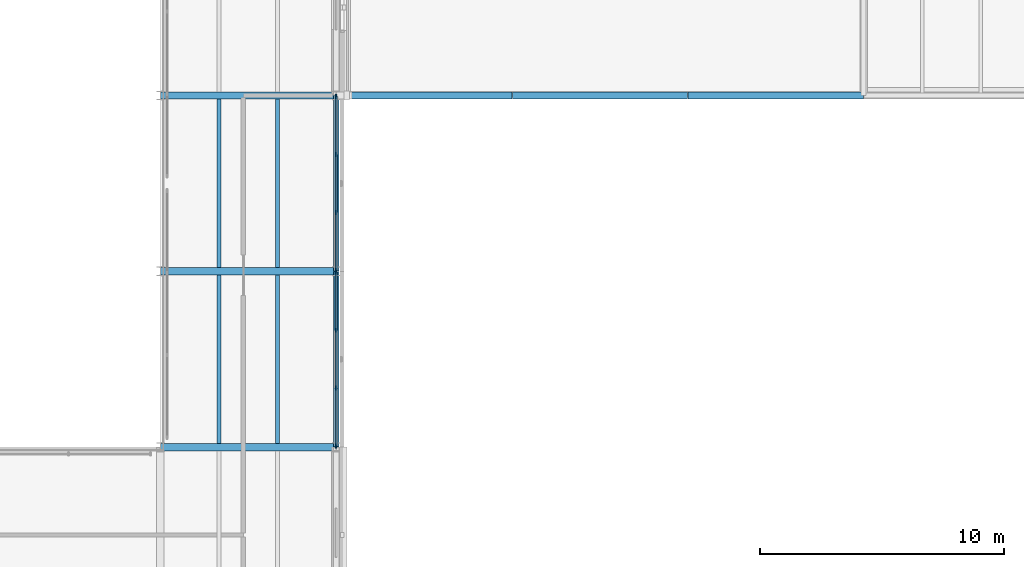
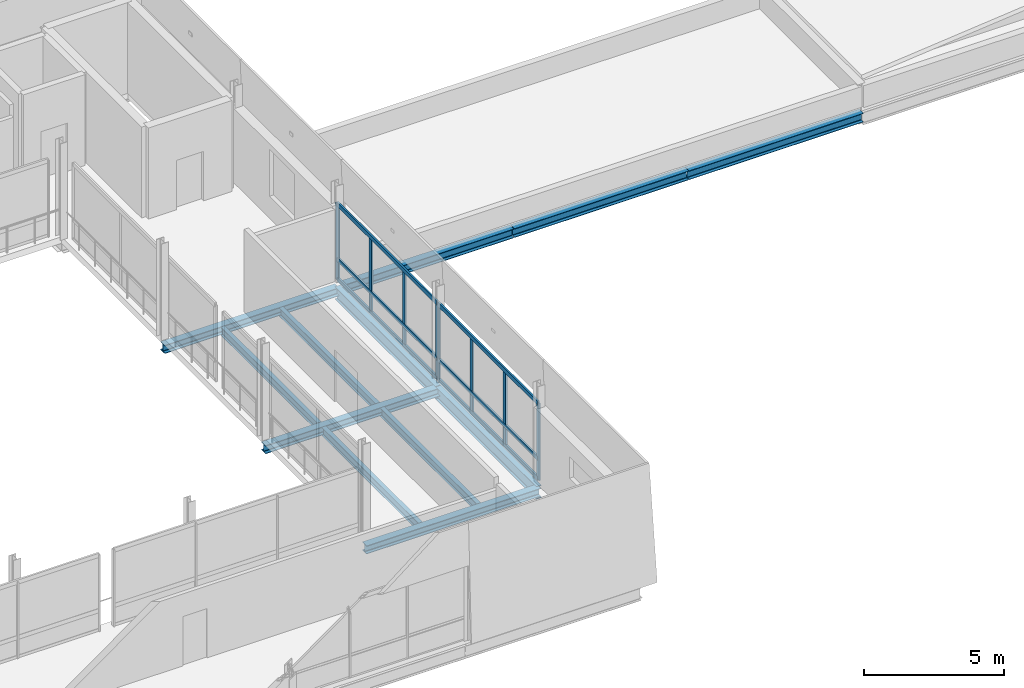
# One storey, part 26 of 91: 14 members, 12 beams, 2 elements without a shape of their own.
"""IFC4 building model written with IfcOpenShell, lengths in metres."""

from ifc_helpers import new_model, si_unit, direction, frame, origin, origin_2d, place, context, subcontext, project, spatial, rectangle, i_section, extrude, material, layer, layer_set, material_profile, profile_set, type_object, element, aggregate, save


model = new_model("IFC4")

# Units and contexts
model_context = context("Model", 3, precision=1e-05, world=origin(), true_north=direction((0.0, 1.0)))
body_context = subcontext(model_context, "Body", "Model", "MODEL_VIEW")
ifc_project = project(units=[si_unit("LENGTHUNIT", "METRE"), si_unit("AREAUNIT", "SQUARE_METRE"), si_unit("VOLUMEUNIT", "CUBIC_METRE"), si_unit("PLANEANGLEUNIT", "RADIAN"), si_unit("MASSUNIT", "GRAM", prefix="KILO")], contexts=[model_context])

# Site, building, storey
site_placement = place(None, origin())
site = spatial("IfcSite", under=ifc_project, at=site_placement, CompositionType="ELEMENT")
building_placement = place(site_placement, origin())
building = spatial("IfcBuilding", under=site, at=building_placement, Name="Narikvali Park Central Library", CompositionType="ELEMENT")
storey_placement = place(building_placement, frame((0.0, 0.0, 14.39990234375)))
storey = spatial("IfcBuildingStorey", under=building, at=storey_placement, Name="L03", CompositionType="ELEMENT", Elevation=14.39990234375)

# Beams
ifc_material_1 = material(Name="Steel S355", Category="steel")
ifc_material_profile_1 = material_profile(ifc_material_1, i_section(OverallWidth=0.300048828125, OverallDepth=0.389892578125, WebThickness=0.010986328125, FlangeThickness=0.01904296875, FilletRadius=0.027099609375, at=origin_2d()), Name="HEA 400")
ifc_profile_set_1 = profile_set([ifc_material_profile_1], Name="Steel S355")
beam_type_1 = type_object("IfcBeamType", Name="Colonnade Bridge Girder HEA400", PredefinedType="BEAM", material=ifc_profile_set_1)
beam_placement = place(storey_placement, frame((101.02001953125, 79.199951171875, -0.434814453125), z_axis=(1.0, 0.0, 0.0), x_axis=(0.0, 1.0, 0.0)))
element("IfcBeam", 1, at=beam_placement, inside=storey, type_object=beam_type_1, Name="BRG-3 L03 Sliding Bridge Girder 1-1", PredefinedType="BEAM", context=body_context, shape_type="SweptSolid", body=[
    extrude(i_section(OverallWidth=0.300048828125, OverallDepth=0.389892578125, WebThickness=0.010986328125, FlangeThickness=0.01904296875, FilletRadius=0.027099609375, at=origin_2d()), origin(), (0.0, 0.0, 1.0), 6.969970703125),
])
for number, where, z_axis, x_axis, name in (
    (2, (108.010009765625, 79.199951171875, -0.434814453125), (1.0, 0.0, 0.0), (0.0, 1.0, 0.0), "BRG-3 L03 Sliding Bridge Girder 1-2"),
    (3, (115.2099609375, 79.199951171875, -0.434814453125), (1.0, 0.0, 0.0), (0.0, 1.0, 0.0), "BRG-3 L03 Sliding Bridge Girder 1-3"),
):
    element("IfcBeam", number, at=place(storey_placement, frame(where, z_axis=z_axis, x_axis=x_axis)), inside=storey, type_object=beam_type_1, Name=name, PredefinedType="BEAM", context=body_context, shape_type="SweptSolid", body=[
        extrude(i_section(OverallWidth=0.300048828125, OverallDepth=0.389892578125, WebThickness=0.010986328125, FlangeThickness=0.01904296875, FilletRadius=0.027099609375, at=origin_2d()), origin(), (0.0, 0.0, 1.0), 7.179931640625),
    ])

# Curtain wall, members
ifc_material_2 = material(Name="Anodised Bronze Aluminium", Category="aluminium")
ifc_layer = layer(ifc_material_2, 0.219970703125, Name="Anodised Bronze Aluminium")
ifc_layer_set = layer_set([ifc_layer], Name="Anodised Bronze Aluminium")
curtain_wall_type = type_object("IfcCurtainWallType", Name="Rotunda Drum Clerestory Curtain Wall", PredefinedType="NOTDEFINED", material=ifc_layer_set)
curtain_wall_1_placement = place(storey_placement, origin())
curtain_wall_1 = element("IfcCurtainWall", 4, at=curtain_wall_1_placement, inside=storey, type_object=curtain_wall_type, Name="Rotunda Drum Clerestory Curtain Wall CW-V1-L03-E-02", PredefinedType="NOTDEFINED")
ifc_material_profile_2 = material_profile(ifc_material_2, rectangle(XDim=0.074951171875, YDim=0.179931640625, at=origin_2d()), Name="CW TRANSOM 75x180")
ifc_profile_set_2 = profile_set([ifc_material_profile_2], Name="Anodised Bronze Aluminium")
member_type_1 = type_object("IfcMemberType", Name="Curtain Wall Heavy Transom 75x180", PredefinedType="USERDEFINED", material=ifc_profile_set_2)
member_1_placement = place(storey_placement, frame((100.800048828125, 64.837890625, 0.030029296875), z_axis=(0.0, 1.0, 0.0), x_axis=(-1.0, 0.0, 0.0)))
member_1 = element("IfcMember", 5, at=member_1_placement, type_object=member_type_1, Name="CW-V1-L03-E-02 Transom 00", ObjectType="TRANSOM", PredefinedType="USERDEFINED", context=body_context, shape_type="SweptSolid", body=[
    extrude(rectangle(XDim=0.074951171875, YDim=0.179931640625, at=origin_2d()), origin(), (0.0, 0.0, 1.0), 7.1240234375),
])
member_2_placement = place(storey_placement, frame((100.800048828125, 64.837890625, 0.900146484375), z_axis=(0.0, 1.0, 0.0), x_axis=(-1.0, 0.0, 0.0)))
member_2 = element("IfcMember", 6, at=member_2_placement, type_object=member_type_1, Name="CW-V1-L03-E-02 Transom 01", ObjectType="TRANSOM", PredefinedType="USERDEFINED", context=body_context, shape_type="SweptSolid", body=[
    extrude(rectangle(XDim=0.074951171875, YDim=0.179931640625, at=origin_2d()), origin(), (0.0, 0.0, 1.0), 7.1240234375),
])
member_3_placement = place(storey_placement, frame((100.800048828125, 64.837890625, 3.31005859375), z_axis=(0.0, 1.0, 0.0), x_axis=(-1.0, 0.0, 0.0)))
member_3 = element("IfcMember", 7, at=member_3_placement, type_object=member_type_1, Name="CW-V1-L03-E-02 Transom 02", ObjectType="TRANSOM", PredefinedType="USERDEFINED", context=body_context, shape_type="SweptSolid", body=[
    extrude(rectangle(XDim=0.074951171875, YDim=0.179931640625, at=origin_2d()), origin(), (0.0, 0.0, 1.0), 7.1240234375),
])

curtain_wall_2_placement = place(storey_placement, origin())
curtain_wall_2 = element("IfcCurtainWall", 8, at=curtain_wall_2_placement, inside=storey, type_object=curtain_wall_type, Name="Rotunda Drum Clerestory Curtain Wall CW-V1-L03-E-03", PredefinedType="NOTDEFINED")
member_4_placement = place(storey_placement, frame((100.800048828125, 72.0380859375, 0.030029296875), z_axis=(0.0, 1.0, 0.0), x_axis=(-1.0, 0.0, 0.0)))
member_4 = element("IfcMember", 9, at=member_4_placement, type_object=member_type_1, Name="CW-V1-L03-E-03 Transom 00", ObjectType="TRANSOM", PredefinedType="USERDEFINED", context=body_context, shape_type="SweptSolid", body=[
    extrude(rectangle(XDim=0.074951171875, YDim=0.179931640625, at=origin_2d()), origin(), (0.0, 0.0, 1.0), 7.1240234375),
])
member_5_placement = place(storey_placement, frame((100.800048828125, 72.0380859375, 0.900146484375), z_axis=(0.0, 1.0, 0.0), x_axis=(-1.0, 0.0, 0.0)))
member_5 = element("IfcMember", 10, at=member_5_placement, type_object=member_type_1, Name="CW-V1-L03-E-03 Transom 01", ObjectType="TRANSOM", PredefinedType="USERDEFINED", context=body_context, shape_type="SweptSolid", body=[
    extrude(rectangle(XDim=0.074951171875, YDim=0.179931640625, at=origin_2d()), origin(), (0.0, 0.0, 1.0), 7.1240234375),
])
member_6_placement = place(storey_placement, frame((100.800048828125, 72.0380859375, 3.31005859375), z_axis=(0.0, 1.0, 0.0), x_axis=(-1.0, 0.0, 0.0)))
member_6 = element("IfcMember", 11, at=member_6_placement, type_object=member_type_1, Name="CW-V1-L03-E-03 Transom 02", ObjectType="TRANSOM", PredefinedType="USERDEFINED", context=body_context, shape_type="SweptSolid", body=[
    extrude(rectangle(XDim=0.074951171875, YDim=0.179931640625, at=origin_2d()), origin(), (0.0, 0.0, 1.0), 7.1240234375),
])

# Member
ifc_material_profile_3 = material_profile(ifc_material_2, rectangle(XDim=0.06494140625, YDim=0.179931640625, at=origin_2d()), Name="CW MULLION 65x180")
ifc_profile_set_3 = profile_set([ifc_material_profile_3], Name="Anodised Bronze Aluminium")
member_type_2 = type_object("IfcMemberType", Name="Curtain Wall Mullion 65x180", PredefinedType="MULLION", material=ifc_profile_set_3)
member_7_placement = place(storey_placement, frame((100.800048828125, 64.837890625, -0.010009765625), z_axis=(0.0, 0.0, 1.0), x_axis=(1.0, 0.0, 0.0)))
member_7 = element("IfcMember", 12, at=member_7_placement, type_object=member_type_2, Name="CW-V1-L03-E-02 Mullion 00", PredefinedType="MULLION", context=body_context, shape_type="SweptSolid", body=[
    extrude(rectangle(XDim=0.06494140625, YDim=0.179931640625, at=origin_2d()), origin(), (0.0, 0.0, 1.0), 3.35009765625),
])

member_8_placement = place(storey_placement, frame((100.800048828125, 67.212646484375, -0.010009765625), z_axis=(0.0, 0.0, 1.0), x_axis=(1.0, 0.0, 0.0)))
member_8 = element("IfcMember", 13, at=member_8_placement, type_object=member_type_2, Name="CW-V1-L03-E-02 Mullion 01", PredefinedType="MULLION", context=body_context, shape_type="SweptSolid", body=[
    extrude(rectangle(XDim=0.06494140625, YDim=0.179931640625, at=origin_2d()), origin(), (0.0, 0.0, 1.0), 3.35009765625),
])

member_9_placement = place(storey_placement, frame((100.800048828125, 69.58740234375, -0.010009765625), z_axis=(0.0, 0.0, 1.0), x_axis=(1.0, 0.0, 0.0)))
member_9 = element("IfcMember", 14, at=member_9_placement, type_object=member_type_2, Name="CW-V1-L03-E-02 Mullion 02", PredefinedType="MULLION", context=body_context, shape_type="SweptSolid", body=[
    extrude(rectangle(XDim=0.06494140625, YDim=0.179931640625, at=origin_2d()), origin(), (0.0, 0.0, 1.0), 3.35009765625),
])

member_10_placement = place(storey_placement, frame((100.800048828125, 71.9619140625, -0.010009765625), z_axis=(0.0, 0.0, 1.0), x_axis=(1.0, 0.0, 0.0)))
member_10 = element("IfcMember", 15, at=member_10_placement, type_object=member_type_2, Name="CW-V1-L03-E-02 Mullion 03", PredefinedType="MULLION", context=body_context, shape_type="SweptSolid", body=[
    extrude(rectangle(XDim=0.06494140625, YDim=0.179931640625, at=origin_2d()), origin(), (0.0, 0.0, 1.0), 3.35009765625),
])

aggregate(curtain_wall_1, [member_7, member_8, member_9, member_10, member_1, member_2, member_3])

member_11_placement = place(storey_placement, frame((100.800048828125, 72.0380859375, -0.010009765625), z_axis=(0.0, 0.0, 1.0), x_axis=(1.0, 0.0, 0.0)))
member_11 = element("IfcMember", 16, at=member_11_placement, type_object=member_type_2, Name="CW-V1-L03-E-03 Mullion 00", PredefinedType="MULLION", context=body_context, shape_type="SweptSolid", body=[
    extrude(rectangle(XDim=0.06494140625, YDim=0.179931640625, at=origin_2d()), origin(), (0.0, 0.0, 1.0), 3.35009765625),
])

member_12_placement = place(storey_placement, frame((100.800048828125, 74.41259765625, -0.010009765625), z_axis=(0.0, 0.0, 1.0), x_axis=(1.0, 0.0, 0.0)))
member_12 = element("IfcMember", 17, at=member_12_placement, type_object=member_type_2, Name="CW-V1-L03-E-03 Mullion 01", PredefinedType="MULLION", context=body_context, shape_type="SweptSolid", body=[
    extrude(rectangle(XDim=0.06494140625, YDim=0.179931640625, at=origin_2d()), origin(), (0.0, 0.0, 1.0), 3.35009765625),
])

member_13_placement = place(storey_placement, frame((100.800048828125, 76.787353515625, -0.010009765625), z_axis=(0.0, 0.0, 1.0), x_axis=(1.0, 0.0, 0.0)))
member_13 = element("IfcMember", 18, at=member_13_placement, type_object=member_type_2, Name="CW-V1-L03-E-03 Mullion 02", PredefinedType="MULLION", context=body_context, shape_type="SweptSolid", body=[
    extrude(rectangle(XDim=0.06494140625, YDim=0.179931640625, at=origin_2d()), origin(), (0.0, 0.0, 1.0), 3.35009765625),
])

member_14_placement = place(storey_placement, frame((100.800048828125, 79.162109375, -0.010009765625), z_axis=(0.0, 0.0, 1.0), x_axis=(1.0, 0.0, 0.0)))
member_14 = element("IfcMember", 19, at=member_14_placement, type_object=member_type_2, Name="CW-V1-L03-E-03 Mullion 03", PredefinedType="MULLION", context=body_context, shape_type="SweptSolid", body=[
    extrude(rectangle(XDim=0.06494140625, YDim=0.179931640625, at=origin_2d()), origin(), (0.0, 0.0, 1.0), 3.35009765625),
])

aggregate(curtain_wall_2, [member_11, member_12, member_13, member_14, member_4, member_5, member_6])

# Beams
ifc_material_profile_4 = material_profile(ifc_material_1, i_section(OverallWidth=0.2099609375, OverallDepth=0.550048828125, WebThickness=0.010986328125, FlangeThickness=0.01708984375, FilletRadius=0.02392578125, at=origin_2d()), Name="IPE 550")
ifc_profile_set_4 = profile_set([ifc_material_profile_4], Name="Steel S355")
beam_type_2 = type_object("IfcBeamType", Name="Perimeter Spandrel IPE550", PredefinedType="SPANDREL", material=ifc_profile_set_4)
for number, where, z_axis, x_axis, name in (
    (20, (100.800048828125, 64.80810546875, -0.554931640625), (0.0, 1.0, 0.0), (-1.0, 0.0, 0.0), "V1 L03 Girder Y"),
    (21, (100.800048828125, 72.008056640625, -0.554931640625), (0.0, 1.0, 0.0), (-1.0, 0.0, 0.0), "V1 L03 Girder Y"),
):
    element("IfcBeam", number, at=place(storey_placement, frame(where, z_axis=z_axis, x_axis=x_axis)), inside=storey, type_object=beam_type_2, Name=name, PredefinedType="SPANDREL", context=body_context, shape_type="SweptSolid", body=[
        extrude(i_section(OverallWidth=0.2099609375, OverallDepth=0.550048828125, WebThickness=0.010986328125, FlangeThickness=0.01708984375, FilletRadius=0.02392578125, at=origin_2d()), origin(), (0.0, 0.0, 1.0), 7.183837890625),
    ])
ifc_material_profile_5 = material_profile(ifc_material_1, i_section(OverallWidth=0.300048828125, OverallDepth=0.360107421875, WebThickness=0.012451171875, FlangeThickness=0.0224609375, FilletRadius=0.027099609375, at=origin_2d()), Name="HEB 360")
ifc_profile_set_5 = profile_set([ifc_material_profile_5], Name="Steel S355")
beam_type_3 = type_object("IfcBeamType", Name="Upper Gallery Girder HEB360", PredefinedType="BEAM", material=ifc_profile_set_5)
for number, where, z_axis, x_axis, name in (
    (22, (93.60791015625, 64.800048828125, -0.4599609375), (1.0, 0.0, 0.0), (0.0, 1.0, 0.0), "V1 L03 Girder X"),
    (23, (93.60791015625, 72.0, -0.4599609375), (1.0, 0.0, 0.0), (0.0, 1.0, 0.0), "V1 L03 Girder X"),
    (24, (93.60791015625, 79.199951171875, -0.4599609375), (1.0, 0.0, 0.0), (0.0, 1.0, 0.0), "V1 L03 Girder X"),
):
    element("IfcBeam", number, at=place(storey_placement, frame(where, z_axis=z_axis, x_axis=x_axis)), inside=storey, type_object=beam_type_3, Name=name, PredefinedType="BEAM", context=body_context, shape_type="SweptSolid", body=[
        extrude(i_section(OverallWidth=0.300048828125, OverallDepth=0.360107421875, WebThickness=0.012451171875, FlangeThickness=0.0224609375, FilletRadius=0.027099609375, at=origin_2d()), origin(), (0.0, 0.0, 1.0), 7.18408203125),
    ])
ifc_material_profile_6 = material_profile(ifc_material_1, i_section(OverallWidth=0.172119140625, OverallDepth=0.364013671875, WebThickness=0.00927734375, FlangeThickness=0.0146484375, FilletRadius=0.01806640625, at=origin_2d()), Name="IPEO 360")
ifc_profile_set_6 = profile_set([ifc_material_profile_6], Name="Steel S355")
beam_type_4 = type_object("IfcBeamType", Name="Upper Study Joist IPEO360", PredefinedType="JOIST", material=ifc_profile_set_6)
for number, where, z_axis, x_axis, name in (
    (25, (96.0, 64.949951171875, -0.4619140625), (0.0, 1.0, 0.0), (-1.0, 0.0, 0.0), "V1 L03 Composite Joist 1"),
    (26, (98.39990234375, 64.949951171875, -0.4619140625), (0.0, 1.0, 0.0), (-1.0, 0.0, 0.0), "V1 L03 Composite Joist 2"),
    (27, (96.0, 72.14990234375, -0.4619140625), (0.0, 1.0, 0.0), (-1.0, 0.0, 0.0), "V1 L03 Composite Joist 1"),
    (28, (98.39990234375, 72.14990234375, -0.4619140625), (0.0, 1.0, 0.0), (-1.0, 0.0, 0.0), "V1 L03 Composite Joist 2"),
):
    element("IfcBeam", number, at=place(storey_placement, frame(where, z_axis=z_axis, x_axis=x_axis)), inside=storey, type_object=beam_type_4, Name=name, PredefinedType="JOIST", context=body_context, shape_type="SweptSolid", body=[
        extrude(i_section(OverallWidth=0.172119140625, OverallDepth=0.364013671875, WebThickness=0.00927734375, FlangeThickness=0.0146484375, FilletRadius=0.01806640625, at=origin_2d()), origin(), (0.0, 0.0, 1.0), 6.900146484375),
    ])

save(model, "model.ifc")
